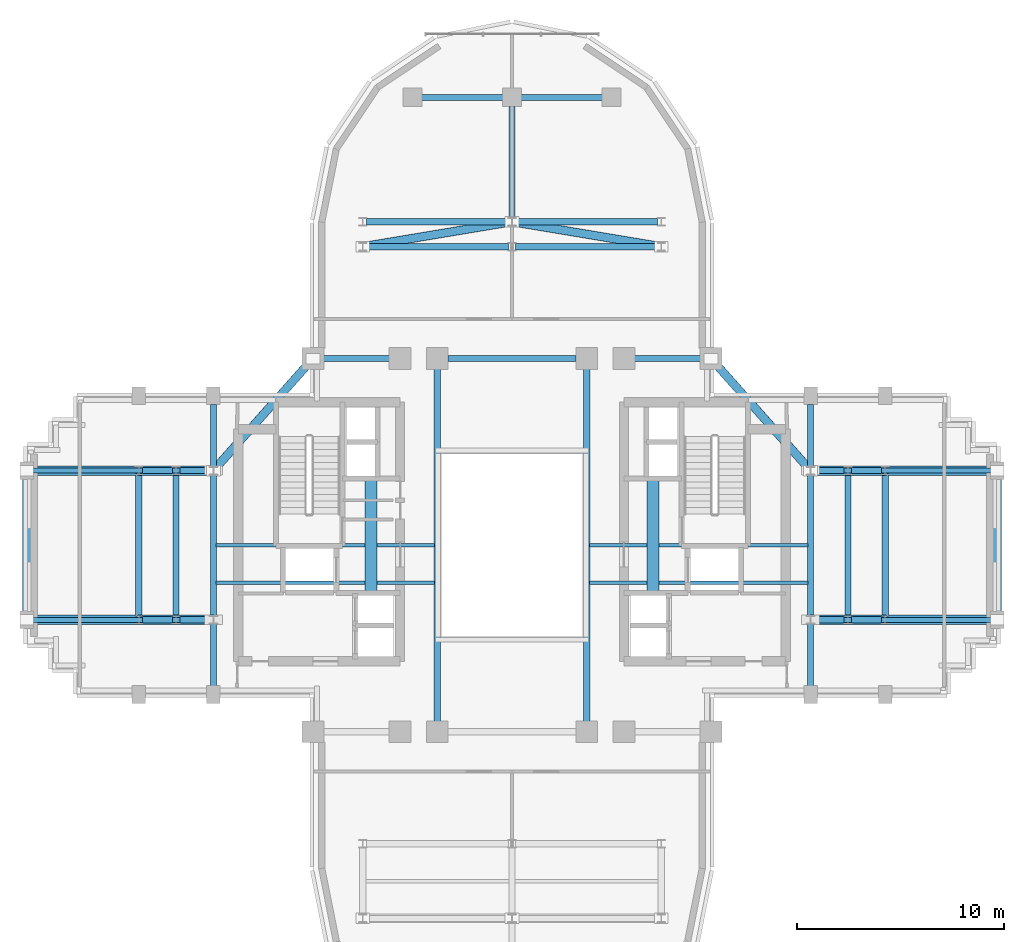
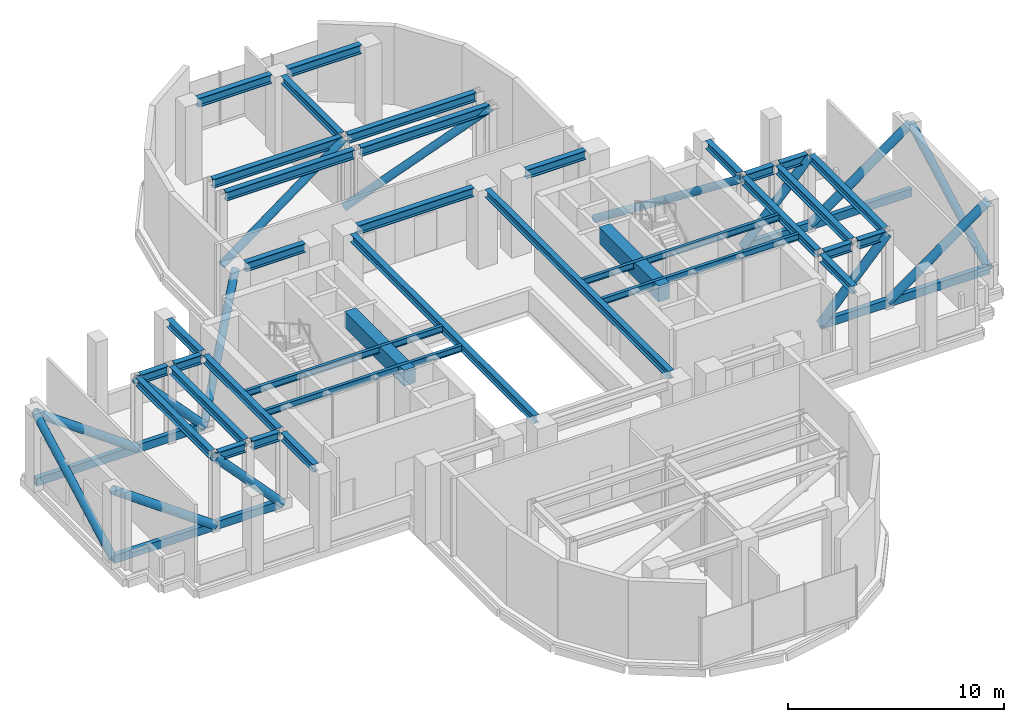
# One storey, part 3 of 11: 36 beams, 22 members.
"""IFC4 building model written with IfcOpenShell, lengths in metres."""

from ifc_helpers import new_model, si_unit, direction, frame, origin, origin_2d, place, context, subcontext, project, spatial, rectangle, hollow_rectangle, hollow_circle, i_section, extrude, source, transform, mapped, material, material_profile, profile_set, type_object, element, save


model = new_model("IFC4")

# Units and contexts
model_context = context("Model", 3, precision=1e-05, world=origin(), true_north=direction((0.0, 1.0)))
body_context = subcontext(model_context, "Body", "Model", "MODEL_VIEW")
ifc_project = project(units=[si_unit("LENGTHUNIT", "METRE"), si_unit("AREAUNIT", "SQUARE_METRE"), si_unit("VOLUMEUNIT", "CUBIC_METRE"), si_unit("PLANEANGLEUNIT", "RADIAN"), si_unit("MASSUNIT", "GRAM", prefix="KILO")], contexts=[model_context])

# Site, building, storey
site_placement = place(None, origin())
site = spatial("IfcSite", under=ifc_project, at=site_placement, CompositionType="ELEMENT")
building_placement = place(site_placement, origin())
building = spatial("IfcBuilding", under=site, at=building_placement, Name="Keilestroom Media Tower", CompositionType="ELEMENT")
storey_placement = place(building_placement, frame((0.0, 0.0, 151.60009765625)))
storey = spatial("IfcBuildingStorey", under=building, at=storey_placement, Name="L41", CompositionType="ELEMENT", Elevation=151.60009765625)

# Beams
ifc_material_1 = material(Name="Concrete C70/85", Category="concrete")
ifc_material_profile_1 = material_profile(ifc_material_1, rectangle(XDim=0.60009765625, YDim=0.89990234375, at=origin_2d()), Name="RC 600x900")
ifc_profile_set_1 = profile_set([ifc_material_profile_1], Name="Concrete C70/85")
beam_type_1 = type_object("IfcBeamType", Name="Core-Coupling-Lintel-Beam-RC-600x900", PredefinedType="LINTEL", material=ifc_profile_set_1)
shared_shape_1 = source(origin(), body_context, "Body", "SweptSolid", [
    extrude(rectangle(XDim=0.60009765625, YDim=0.89990234375, at=origin_2d()), origin(), (0.0, 0.0, 1.0), 5.52001953125),
])
for number, where, z_axis, x_axis, name in (
    (1, (-6.800048828125, -2.300048828125, 3.949951171875), (0.0, 1.0, 0.0), (-1.0, 0.0, 0.0), "L41 Beam CLB-1 CLB-L41-W"),
    (2, (6.800048828125, -2.300048828125, 3.949951171875), (0.0, 1.0, 0.0), (-1.0, 0.0, 0.0), "L41 Beam CLB-1 CLB-L41-E"),
):
    element("IfcBeam", number, at=place(storey_placement, frame(where, z_axis=z_axis, x_axis=x_axis)), inside=storey, type_object=beam_type_1, Name=name, PredefinedType="LINTEL", context=body_context, shape_type="MappedRepresentation", body=[
        mapped(shared_shape_1, transform((0.0, 0.0, 0.0), x_axis=(1.0, 0.0, 0.0), y_axis=(0.0, 1.0, 0.0), z_axis=(0.0, 0.0, 1.0), scale=1.0)),
    ])
ifc_material_2 = material(Name="Steel S355", Category="steel")
ifc_material_profile_2 = material_profile(ifc_material_2, i_section(OverallWidth=0.169921875, OverallDepth=0.360107421875, WebThickness=0.008056640625, FlangeThickness=0.0126953125, at=origin_2d()), Name="IPE 360")
ifc_profile_set_2 = profile_set([ifc_material_profile_2], Name="Steel S355")
beam_type_2 = type_object("IfcBeamType", Name="Secondary-Floor-Joist-IPE-360", PredefinedType="JOIST", material=ifc_profile_set_2)
shared_shape_2 = source(origin(), body_context, "Body", "SweptSolid", [
    extrude(i_section(OverallWidth=0.169921875, OverallDepth=0.360107421875, WebThickness=0.008056640625, FlangeThickness=0.0126953125, at=origin_2d()), origin(), (0.0, 0.0, 1.0), 10.5400390625),
])
for number, where, z_axis, x_axis, name in (
    (3, (-14.27001953125, -1.800048828125, 4.219970703125), (1.0, 0.0, 0.0), (0.0, 1.0, 0.0), "L41 Beam BJ-5 JST-L41-057"),
    (4, (3.72998046875, -1.800048828125, 4.219970703125), (1.0, 0.0, 0.0), (0.0, 1.0, 0.0), "L41 Beam BJ-5 JST-L41-059"),
    (5, (-14.27001953125, 0.0, 4.219970703125), (1.0, 0.0, 0.0), (0.0, 1.0, 0.0), "L41 Beam BJ-5 JST-L41-060"),
    (6, (3.72998046875, 0.0, 4.219970703125), (1.0, 0.0, 0.0), (0.0, 1.0, 0.0), "L41 Beam BJ-5 JST-L41-062"),
):
    element("IfcBeam", number, at=place(storey_placement, frame(where, z_axis=z_axis, x_axis=x_axis)), inside=storey, type_object=beam_type_2, Name=name, PredefinedType="JOIST", context=body_context, shape_type="MappedRepresentation", body=[
        mapped(shared_shape_2, transform((0.0, 0.0, 0.0), x_axis=(1.0, 0.0, 0.0), y_axis=(0.0, 1.0, 0.0), z_axis=(0.0, 0.0, 1.0), scale=1.0)),
    ])
ifc_material_profile_3 = material_profile(ifc_material_2, i_section(OverallWidth=0.300048828125, OverallDepth=0.5, WebThickness=0.012451171875, FlangeThickness=0.028076171875, at=origin_2d()), Name="HEB 500")
ifc_profile_set_3 = profile_set([ifc_material_profile_3], Name="Steel S355")
beam_type_3 = type_object("IfcBeamType", Name="Primary-Structural-Girder-HEB-500", PredefinedType="BEAM", material=ifc_profile_set_3)
shared_shape_3 = source(origin(), body_context, "Body", "SweptSolid", [
    extrude(i_section(OverallWidth=0.300048828125, OverallDepth=0.5, WebThickness=0.012451171875, FlangeThickness=0.028076171875, at=origin_2d()), origin(), (0.0, 0.0, 1.0), 6.839111328125),
])
for number, where, z_axis, x_axis, name in (
    (7, (-7.01953125, 14.39990234375, 4.14990234375), (1.0, 0.0, 0.0), (0.0, 1.0, 0.0), "L41 Beam BG-6 BM-L41-EW-025"),
    (8, (0.180419921875, 14.39990234375, 4.14990234375), (1.0, 0.0, 0.0), (0.0, 1.0, 0.0), "L41 Beam BG-6 BM-L41-EW-026"),
    (9, (-7.01953125, 15.60009765625, 4.14990234375), (1.0, 0.0, 0.0), (0.0, 1.0, 0.0), "L41 Beam BG-6 BM-L41-EW-027"),
    (10, (0.180419921875, 15.60009765625, 4.14990234375), (1.0, 0.0, 0.0), (0.0, 1.0, 0.0), "L41 Beam BG-6 BM-L41-EW-028"),
):
    element("IfcBeam", number, at=place(storey_placement, frame(where, z_axis=z_axis, x_axis=x_axis)), inside=storey, type_object=beam_type_3, Name=name, PredefinedType="BEAM", context=body_context, shape_type="MappedRepresentation", body=[
        mapped(shared_shape_3, transform((0.0, 0.0, 0.0), x_axis=(1.0, 0.0, 0.0), y_axis=(0.0, 1.0, 0.0), z_axis=(0.0, 0.0, 1.0), scale=1.0)),
    ])
shared_shape_4 = source(origin(), body_context, "Body", "SweptSolid", [
    extrude(i_section(OverallWidth=0.300048828125, OverallDepth=0.5, WebThickness=0.012451171875, FlangeThickness=0.028076171875, at=origin_2d()), origin(), (0.0, 0.0, 1.0), 3.18994140625),
])
for number, where, z_axis, x_axis, name in (
    (11, (-9.094970703125, 9.0, 4.14990234375), (1.0, 0.0, 0.0), (0.0, 1.0, 0.0), "L41 Beam BG-6 BM-L41-EW-020"),
    (12, (5.905029296875, 9.0, 4.14990234375), (1.0, 0.0, 0.0), (0.0, 1.0, 0.0), "L41 Beam BG-6 BM-L41-EW-024"),
):
    element("IfcBeam", number, at=place(storey_placement, frame(where, z_axis=z_axis, x_axis=x_axis)), inside=storey, type_object=beam_type_3, Name=name, PredefinedType="BEAM", context=body_context, shape_type="MappedRepresentation", body=[
        mapped(shared_shape_4, transform((0.0, 0.0, 0.0), x_axis=(1.0, 0.0, 0.0), y_axis=(0.0, 1.0, 0.0), z_axis=(0.0, 0.0, 1.0), scale=1.0)),
    ])
shared_shape_5 = source(origin(), body_context, "Body", "SweptSolid", [
    extrude(i_section(OverallWidth=0.300048828125, OverallDepth=0.5, WebThickness=0.012451171875, FlangeThickness=0.028076171875, at=origin_2d()), origin(), (0.0, 0.0, 1.0), 6.18994140625),
])
beam_1_placement = place(storey_placement, frame((-3.094970703125, 9.0, 4.14990234375), z_axis=(1.0, 0.0, 0.0), x_axis=(0.0, 1.0, 0.0)))
element("IfcBeam", 13, at=beam_1_placement, inside=storey, type_object=beam_type_3, Name="L41 Beam BG-6 BM-L41-EW-022", PredefinedType="BEAM", context=body_context, shape_type="MappedRepresentation", body=[
    mapped(shared_shape_5, transform((0.0, 0.0, 0.0), x_axis=(1.0, 0.0, 0.0), y_axis=(0.0, 1.0, 0.0), z_axis=(0.0, 0.0, 1.0), scale=1.0)),
])
shared_shape_6 = source(origin(), body_context, "Body", "SweptSolid", [
    extrude(i_section(OverallWidth=0.300048828125, OverallDepth=0.5, WebThickness=0.012451171875, FlangeThickness=0.028076171875, at=origin_2d()), origin(), (0.0, 0.0, 1.0), 1.43896484375),
])
for number, where, z_axis, x_axis, name in (
    (14, (-17.819580078125, -3.60009765625, 4.14990234375), (1.0, 0.0, 0.0), (0.0, 1.0, 0.0), "L41 Beam BG-6 BM-L41-EW-012"),
    (15, (-16.01953125, -3.60009765625, 4.14990234375), (1.0, 0.0, 0.0), (0.0, 1.0, 0.0), "L41 Beam BG-6 BM-L41-EW-013"),
    (16, (14.58056640625, -3.60009765625, 4.14990234375), (1.0, 0.0, 0.0), (0.0, 1.0, 0.0), "L41 Beam BG-6 BM-L41-EW-014"),
    (17, (16.380615234375, -3.60009765625, 4.14990234375), (1.0, 0.0, 0.0), (0.0, 1.0, 0.0), "L41 Beam BG-6 BM-L41-EW-015"),
    (18, (-17.819580078125, 3.60009765625, 4.14990234375), (1.0, 0.0, 0.0), (0.0, 1.0, 0.0), "L41 Beam BG-6 BM-L41-EW-016"),
    (19, (-16.01953125, 3.60009765625, 4.14990234375), (1.0, 0.0, 0.0), (0.0, 1.0, 0.0), "L41 Beam BG-6 BM-L41-EW-017"),
    (20, (14.58056640625, 3.60009765625, 4.14990234375), (1.0, 0.0, 0.0), (0.0, 1.0, 0.0), "L41 Beam BG-6 BM-L41-EW-018"),
    (21, (16.380615234375, 3.60009765625, 4.14990234375), (1.0, 0.0, 0.0), (0.0, 1.0, 0.0), "L41 Beam BG-6 BM-L41-EW-019"),
):
    element("IfcBeam", number, at=place(storey_placement, frame(where, z_axis=z_axis, x_axis=x_axis)), inside=storey, type_object=beam_type_3, Name=name, PredefinedType="BEAM", context=body_context, shape_type="MappedRepresentation", body=[
        mapped(shared_shape_6, transform((0.0, 0.0, 0.0), x_axis=(1.0, 0.0, 0.0), y_axis=(0.0, 1.0, 0.0), z_axis=(0.0, 0.0, 1.0), scale=1.0)),
    ])
ifc_material_profile_4 = material_profile(ifc_material_2, i_section(OverallWidth=0.300048828125, OverallDepth=0.43994140625, WebThickness=0.011474609375, FlangeThickness=0.02099609375, at=origin_2d()), Name="HEA 450")
ifc_profile_set_4 = profile_set([ifc_material_profile_4], Name="Steel S355")
beam_type_4 = type_object("IfcBeamType", Name="Primary-Structural-Girder-HEA-450", PredefinedType="BEAM", material=ifc_profile_set_4)
shared_shape_7 = source(origin(), body_context, "Body", "SweptSolid", [
    extrude(i_section(OverallWidth=0.300048828125, OverallDepth=0.43994140625, WebThickness=0.011474609375, FlangeThickness=0.02099609375, at=origin_2d()), origin(), (0.0, 0.0, 1.0), 3.015380859375),
])
for number, where, z_axis, x_axis, name in (
    (22, (-14.39990234375, -6.794921875, 4.179931640625), (0.0, 1.0, 0.0), (-1.0, 0.0, 0.0), "L41 Beam BG-11 BM-L41-NS-033"),
    (23, (-14.39990234375, 3.779541015625, 4.179931640625), (0.0, 1.0, 0.0), (-1.0, 0.0, 0.0), "L41 Beam BG-11 BM-L41-NS-035"),
    (24, (14.39990234375, -6.794921875, 4.179931640625), (0.0, 1.0, 0.0), (-1.0, 0.0, 0.0), "L41 Beam BG-11 BM-L41-NS-050"),
    (25, (14.39990234375, 3.779541015625, 4.179931640625), (0.0, 1.0, 0.0), (-1.0, 0.0, 0.0), "L41 Beam BG-11 BM-L41-NS-052"),
):
    element("IfcBeam", number, at=place(storey_placement, frame(where, z_axis=z_axis, x_axis=x_axis)), inside=storey, type_object=beam_type_4, Name=name, PredefinedType="BEAM", context=body_context, shape_type="MappedRepresentation", body=[
        mapped(shared_shape_7, transform((0.0, 0.0, 0.0), x_axis=(1.0, 0.0, 0.0), y_axis=(0.0, 1.0, 0.0), z_axis=(0.0, 0.0, 1.0), scale=1.0)),
    ])
shared_shape_8 = source(origin(), body_context, "Body", "SweptSolid", [
    extrude(i_section(OverallWidth=0.300048828125, OverallDepth=0.43994140625, WebThickness=0.011474609375, FlangeThickness=0.02099609375, at=origin_2d()), origin(), (0.0, 0.0, 1.0), 6.8408203125),
])
for number, where, z_axis, x_axis, name in (
    (26, (-18.0, -3.42041015625, 4.159912109375), (0.0, 1.0, 0.0), (-1.0, 0.0, 0.0), "L41 Beam BG-11 BM-L41-NS-031"),
    (27, (-16.199951171875, -3.42041015625, 4.179931640625), (0.0, 1.0, 0.0), (-1.0, 0.0, 0.0), "L41 Beam BG-11 BM-L41-NS-032"),
    (28, (-14.39990234375, -3.42041015625, 4.179931640625), (0.0, 1.0, 0.0), (-1.0, 0.0, 0.0), "L41 Beam BG-11 BM-L41-NS-034"),
    (29, (14.39990234375, -3.42041015625, 4.179931640625), (0.0, 1.0, 0.0), (-1.0, 0.0, 0.0), "L41 Beam BG-11 BM-L41-NS-051"),
    (30, (16.199951171875, -3.42041015625, 4.179931640625), (0.0, 1.0, 0.0), (-1.0, 0.0, 0.0), "L41 Beam BG-11 BM-L41-NS-053"),
    (31, (18.0, -3.42041015625, 4.159912109375), (0.0, 1.0, 0.0), (-1.0, 0.0, 0.0), "L41 Beam BG-11 BM-L41-NS-054"),
):
    element("IfcBeam", number, at=place(storey_placement, frame(where, z_axis=z_axis, x_axis=x_axis)), inside=storey, type_object=beam_type_4, Name=name, PredefinedType="BEAM", context=body_context, shape_type="MappedRepresentation", body=[
        mapped(shared_shape_8, transform((0.0, 0.0, 0.0), x_axis=(1.0, 0.0, 0.0), y_axis=(0.0, 1.0, 0.0), z_axis=(0.0, 0.0, 1.0), scale=1.0)),
    ])
shared_shape_9 = source(origin(), body_context, "Body", "SweptSolid", [
    extrude(i_section(OverallWidth=0.300048828125, OverallDepth=0.43994140625, WebThickness=0.011474609375, FlangeThickness=0.02099609375, at=origin_2d()), origin(), (0.0, 0.0, 1.0), 16.990234375),
])
for number, where, z_axis, x_axis, name in (
    (32, (-3.60009765625, -8.4951171875, 4.179931640625), (0.0, 1.0, 0.0), (-1.0, 0.0, 0.0), "L41 Beam BG-11 BM-L41-NS-040"),
    (33, (3.60009765625, -8.4951171875, 4.179931640625), (0.0, 1.0, 0.0), (-1.0, 0.0, 0.0), "L41 Beam BG-11 BM-L41-NS-045"),
):
    element("IfcBeam", number, at=place(storey_placement, frame(where, z_axis=z_axis, x_axis=x_axis)), inside=storey, type_object=beam_type_4, Name=name, PredefinedType="BEAM", context=body_context, shape_type="MappedRepresentation", body=[
        mapped(shared_shape_9, transform((0.0, 0.0, 0.0), x_axis=(1.0, 0.0, 0.0), y_axis=(0.0, 1.0, 0.0), z_axis=(0.0, 0.0, 1.0), scale=1.0)),
    ])
shared_shape_10 = source(origin(), body_context, "Body", "SweptSolid", [
    extrude(i_section(OverallWidth=0.300048828125, OverallDepth=0.5, WebThickness=0.012451171875, FlangeThickness=0.028076171875, at=origin_2d()), origin(), (0.0, 0.0, 1.0), 3.940185546875),
])
for number, where, z_axis, x_axis, name in (
    (34, (-4.3701171875, 21.60009765625, 4.14990234375), (1.0, 0.0, 0.0), (0.0, 1.0, 0.0), "L41 Beam BG-6 BM-L41-EW-029"),
    (35, (0.429931640625, 21.60009765625, 4.14990234375), (1.0, 0.0, 0.0), (0.0, 1.0, 0.0), "L41 Beam BG-6 BM-L41-EW-030"),
):
    element("IfcBeam", number, at=place(storey_placement, frame(where, z_axis=z_axis, x_axis=x_axis)), inside=storey, type_object=beam_type_3, Name=name, PredefinedType="BEAM", context=body_context, shape_type="MappedRepresentation", body=[
        mapped(shared_shape_10, transform((0.0, 0.0, 0.0), x_axis=(1.0, 0.0, 0.0), y_axis=(0.0, 1.0, 0.0), z_axis=(0.0, 0.0, 1.0), scale=1.0)),
    ])
shared_shape_11 = source(origin(), body_context, "Body", "SweptSolid", [
    extrude(i_section(OverallWidth=0.300048828125, OverallDepth=0.43994140625, WebThickness=0.011474609375, FlangeThickness=0.02099609375, at=origin_2d()), origin(), (0.0, 0.0, 1.0), 5.390380859375),
])
beam_2_placement = place(storey_placement, frame((0.0, 15.779541015625, 4.179931640625), z_axis=(0.0, 1.0, 0.0), x_axis=(-1.0, 0.0, 0.0)))
element("IfcBeam", 36, at=beam_2_placement, inside=storey, type_object=beam_type_4, Name="L41 Beam BG-11 BM-L41-NS-044", PredefinedType="BEAM", context=body_context, shape_type="MappedRepresentation", body=[
    mapped(shared_shape_11, transform((0.0, 0.0, 0.0), x_axis=(1.0, 0.0, 0.0), y_axis=(0.0, 1.0, 0.0), z_axis=(0.0, 0.0, 1.0), scale=1.0)),
])

# Members
ifc_material_3 = material(Name="Steel S460", Category="steel")
ifc_material_profile_5 = material_profile(ifc_material_3, hollow_rectangle(XDim=0.25, YDim=0.449951171875, WallThickness=0.01611328125, at=origin_2d()), Name="RHS 450x250x16")
ifc_profile_set_5 = profile_set([ifc_material_profile_5], Name="Steel S460")
member_type_1 = type_object("IfcMemberType", Name="Transfer-And-Belt-Truss-Chord-RHS-450x250x16", PredefinedType="CHORD", material=ifc_profile_set_5)
shared_shape_12 = source(origin(), body_context, "Body", "SweptSolid", [
    extrude(hollow_rectangle(XDim=0.25, YDim=0.449951171875, WallThickness=0.01611328125, at=origin_2d()), origin(), (0.0, 0.0, 1.0), 3.60009765625),
])
for number, where, z_axis, x_axis, name in (
    (37, (-14.39990234375, -3.60009765625, 0.27978515625), (-1.0, 0.0, 0.0), (0.0, -1.0, 0.0), "L41 Outrigger OT-L41-WS Chord 1"),
    (38, (-14.39990234375, 3.60009765625, 0.27978515625), (-1.0, 0.0, 0.0), (0.0, -1.0, 0.0), "L41 Outrigger OT-L41-WN Chord 1"),
    (39, (14.39990234375, -3.60009765625, 0.27978515625), (1.0, 0.0, 0.0), (0.0, 1.0, 0.0), "L41 Outrigger OT-L41-ES Chord 1"),
    (40, (14.39990234375, 3.60009765625, 0.27978515625), (1.0, 0.0, 0.0), (0.0, 1.0, 0.0), "L41 Outrigger OT-L41-EN Chord 1"),
):
    element("IfcMember", number, at=place(storey_placement, frame(where, z_axis=z_axis, x_axis=x_axis)), inside=storey, type_object=member_type_1, Name=name, PredefinedType="CHORD", context=body_context, shape_type="MappedRepresentation", body=[
        mapped(shared_shape_12, transform((0.0, 0.0, 0.0), x_axis=(1.0, 0.0, 0.0), y_axis=(0.0, 1.0, 0.0), z_axis=(0.0, 0.0, 1.0), scale=1.0)),
    ])
ifc_material_profile_6 = material_profile(ifc_material_3, hollow_circle(Radius=0.203125, WallThickness=0.01611328125, at=origin_2d()), Name="CHS 406.4x16")
ifc_profile_set_6 = profile_set([ifc_material_profile_6], Name="Steel S460")
member_type_2 = type_object("IfcMemberType", Name="Outrigger-And-Belt-Brace-CHS-406x16", PredefinedType="BRACE", material=ifc_profile_set_6)
shared_shape_13 = source(origin(), body_context, "Body", "SweptSolid", [
    extrude(hollow_circle(Radius=0.203125, WallThickness=0.01611328125, at=origin_2d()), origin(), (0.0, 0.0, 1.0), 8.17431640625),
])
for number, where, z_axis, x_axis, name in (
    (41, (-23.39990234375, -3.60009765625, 0.27978515625), (0.0, 0.880823774267, 0.473444271995), (-1.0, 0.0, 0.0), "L41 Belt Truss Brace BW1"),
    (42, (23.39990234375, -3.60009765625, 0.27978515625), (0.0, 0.880823774267, 0.473444271995), (-1.0, 0.0, 0.0), "L41 Belt Truss Brace BE1"),
):
    element("IfcMember", number, at=place(storey_placement, frame(where, z_axis=z_axis, x_axis=x_axis)), inside=storey, type_object=member_type_2, Name=name, PredefinedType="BRACE", context=body_context, shape_type="MappedRepresentation", body=[
        mapped(shared_shape_13, transform((0.0, 0.0, 0.0), x_axis=(1.0, 0.0, 0.0), y_axis=(0.0, 1.0, 0.0), z_axis=(0.0, 0.0, 1.0), scale=1.0)),
    ])
shared_shape_14 = source(origin(), body_context, "Body", "SweptSolid", [
    extrude(hollow_circle(Radius=0.203125, WallThickness=0.01611328125, at=origin_2d()), origin(), (0.0, 0.0, 1.0), 8.26171875),
])
for number, where, z_axis, x_axis, name in (
    (43, (-7.199951171875, 14.39990234375, 0.27978515625), (0.871473390591, 0.145270190504, 0.468434308353), (-0.16442610654, 0.986389403576, 0.0), "L41 Belt Truss Brace BN1"),
    (44, (0.0, 15.60009765625, 0.27978515625), (0.871473390591, -0.145270190504, 0.468434308353), (0.16442610654, 0.986389403576, 0.0), "L41 Belt Truss Brace BN2"),
):
    element("IfcMember", number, at=place(storey_placement, frame(where, z_axis=z_axis, x_axis=x_axis)), inside=storey, type_object=member_type_2, Name=name, PredefinedType="BRACE", context=body_context, shape_type="MappedRepresentation", body=[
        mapped(shared_shape_14, transform((0.0, 0.0, 0.0), x_axis=(1.0, 0.0, 0.0), y_axis=(0.0, 1.0, 0.0), z_axis=(0.0, 0.0, 1.0), scale=1.0)),
    ])
shared_shape_15 = source(origin(), body_context, "Body", "SweptSolid", [
    extrude(hollow_circle(Radius=0.203125, WallThickness=0.01611328125, at=origin_2d()), origin(), (0.0, 0.0, 1.0), 8.196044921875),
])
for number, where, z_axis, x_axis, name in (
    (45, (-14.39990234375, 3.60009765625, 0.27978515625), (0.585625695855, 0.658843801674, 0.472194228417), (-0.747416776234, 0.66435544899, 0.0), "L41 Belt Truss Brace BWN"),
    (46, (9.60009765625, 9.0, 0.27978515625), (0.585625695855, -0.658843801674, 0.472194228417), (0.747416776234, 0.66435544899, 0.0), "L41 Belt Truss Brace BEN"),
):
    element("IfcMember", number, at=place(storey_placement, frame(where, z_axis=z_axis, x_axis=x_axis)), inside=storey, type_object=member_type_2, Name=name, PredefinedType="BRACE", context=body_context, shape_type="MappedRepresentation", body=[
        mapped(shared_shape_15, transform((0.0, 0.0, 0.0), x_axis=(1.0, 0.0, 0.0), y_axis=(0.0, 1.0, 0.0), z_axis=(0.0, 0.0, 1.0), scale=1.0)),
    ])
ifc_material_profile_7 = material_profile(ifc_material_3, hollow_circle(Radius=0.228515625, WallThickness=0.01611328125, at=origin_2d()), Name="CHS 457x16")
ifc_profile_set_7 = profile_set([ifc_material_profile_7], Name="Steel S460")
member_type_3 = type_object("IfcMemberType", Name="Outrigger-And-Belt-Brace-CHS-457x16", PredefinedType="BRACE", material=ifc_profile_set_7)
shared_shape_16 = source(origin(), body_context, "Body", "SweptSolid", [
    extrude(hollow_circle(Radius=0.228515625, WallThickness=0.01611328125, at=origin_2d()), origin(), (0.0, 0.0, 1.0), 5.28564453125),
])
for number, where, z_axis, x_axis, name in (
    (47, (-14.39990234375, -3.60009765625, 0.27978515625), (-0.681102790765, 0.0, 0.732187809522), (0.0, -1.0, 0.0), "L41 Outrigger OT-L41-WS Brace 1"),
    (48, (-14.39990234375, 3.60009765625, 0.27978515625), (-0.681102790765, 0.0, 0.732187809522), (0.0, -1.0, 0.0), "L41 Outrigger OT-L41-WN Brace 1"),
    (49, (14.39990234375, -3.60009765625, 0.27978515625), (0.681102790765, 0.0, 0.732187809522), (0.0, 1.0, 0.0), "L41 Outrigger OT-L41-ES Brace 1"),
    (50, (14.39990234375, 3.60009765625, 0.27978515625), (0.681102790765, 0.0, 0.732187809522), (0.0, 1.0, 0.0), "L41 Outrigger OT-L41-EN Brace 1"),
):
    element("IfcMember", number, at=place(storey_placement, frame(where, z_axis=z_axis, x_axis=x_axis)), inside=storey, type_object=member_type_3, Name=name, PredefinedType="BRACE", context=body_context, shape_type="MappedRepresentation", body=[
        mapped(shared_shape_16, transform((0.0, 0.0, 0.0), x_axis=(1.0, 0.0, 0.0), y_axis=(0.0, 1.0, 0.0), z_axis=(0.0, 0.0, 1.0), scale=1.0)),
    ])
shared_shape_17 = source(origin(), body_context, "Body", "SweptSolid", [
    extrude(hollow_rectangle(XDim=0.25, YDim=0.449951171875, WallThickness=0.01611328125, at=origin_2d()), origin(), (0.0, 0.0, 1.0), 5.39990234375),
])
for number, where, z_axis, x_axis, name in (
    (51, (-18.0, -3.60009765625, 0.27978515625), (-1.0, 0.0, 0.0), (0.0, -1.0, 0.0), "L41 Outrigger OT-L41-WS Chord 2"),
    (52, (-18.0, 3.60009765625, 0.27978515625), (-1.0, 0.0, 0.0), (0.0, -1.0, 0.0), "L41 Outrigger OT-L41-WN Chord 2"),
    (53, (18.0, -3.60009765625, 0.27978515625), (1.0, 0.0, 0.0), (0.0, 1.0, 0.0), "L41 Outrigger OT-L41-ES Chord 2"),
    (54, (18.0, 3.60009765625, 0.27978515625), (1.0, 0.0, 0.0), (0.0, 1.0, 0.0), "L41 Outrigger OT-L41-EN Chord 2"),
):
    element("IfcMember", number, at=place(storey_placement, frame(where, z_axis=z_axis, x_axis=x_axis)), inside=storey, type_object=member_type_1, Name=name, PredefinedType="CHORD", context=body_context, shape_type="MappedRepresentation", body=[
        mapped(shared_shape_17, transform((0.0, 0.0, 0.0), x_axis=(1.0, 0.0, 0.0), y_axis=(0.0, 1.0, 0.0), z_axis=(0.0, 0.0, 1.0), scale=1.0)),
    ])
shared_shape_18 = source(origin(), body_context, "Body", "SweptSolid", [
    extrude(hollow_circle(Radius=0.228515625, WallThickness=0.01611328125, at=origin_2d()), origin(), (0.0, 0.0, 1.0), 6.6435546875),
])
for number, where, z_axis, x_axis, name in (
    (55, (-18.0, -3.60009765625, 0.27978515625), (-0.81280378756, 0.0, 0.582537554951), (0.0, -1.0, 0.0), "L41 Outrigger OT-L41-WS Brace 2"),
    (56, (-18.0, 3.60009765625, 0.27978515625), (-0.81280378756, 0.0, 0.582537554951), (0.0, -1.0, 0.0), "L41 Outrigger OT-L41-WN Brace 2"),
    (57, (18.0, -3.60009765625, 0.27978515625), (0.81280378756, 0.0, 0.582537554951), (0.0, 1.0, 0.0), "L41 Outrigger OT-L41-ES Brace 2"),
    (58, (18.0, 3.60009765625, 0.27978515625), (0.81280378756, 0.0, 0.582537554951), (0.0, 1.0, 0.0), "L41 Outrigger OT-L41-EN Brace 2"),
):
    element("IfcMember", number, at=place(storey_placement, frame(where, z_axis=z_axis, x_axis=x_axis)), inside=storey, type_object=member_type_3, Name=name, PredefinedType="BRACE", context=body_context, shape_type="MappedRepresentation", body=[
        mapped(shared_shape_18, transform((0.0, 0.0, 0.0), x_axis=(1.0, 0.0, 0.0), y_axis=(0.0, 1.0, 0.0), z_axis=(0.0, 0.0, 1.0), scale=1.0)),
    ])

save(model, "model.ifc")
